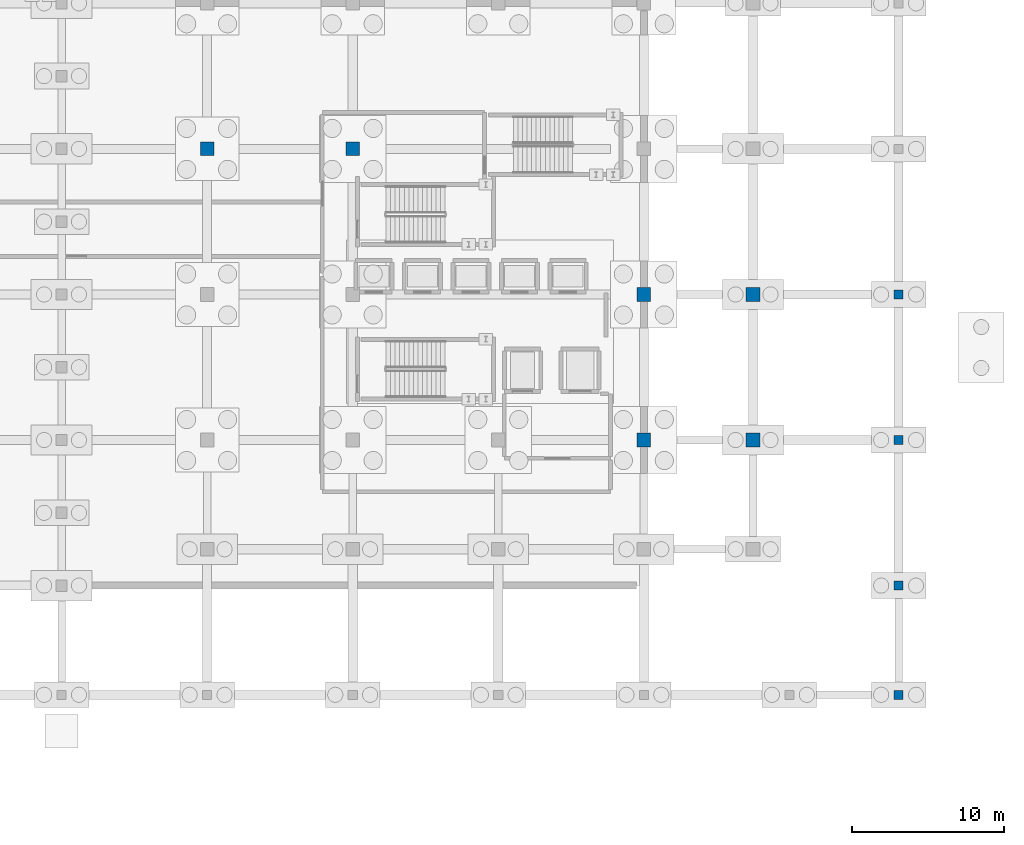
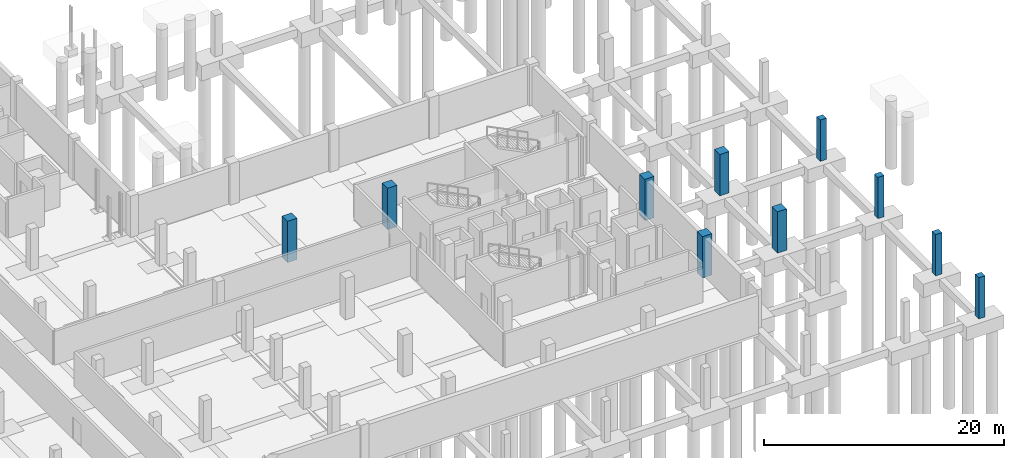
# One storey, part 30 of 54: 10 columns.
"""IFC4 building model written with IfcOpenShell, lengths in metres."""

from ifc_helpers import new_model, si_unit, direction, frame, origin, origin_2d, place, context, subcontext, project, spatial, rectangle, extrude, material, material_profile, profile_set, type_object, element, save


model = new_model("IFC4")

# Units and contexts
model_context = context("Model", 3, precision=1e-05, world=origin(), true_north=direction((0.0, 1.0)))
body_context = subcontext(model_context, "Body", "Model", "MODEL_VIEW")
ifc_project = project(units=[si_unit("LENGTHUNIT", "METRE"), si_unit("AREAUNIT", "SQUARE_METRE"), si_unit("VOLUMEUNIT", "CUBIC_METRE"), si_unit("PLANEANGLEUNIT", "RADIAN"), si_unit("MASSUNIT", "GRAM", prefix="KILO")], contexts=[model_context])

# Site, building, storey
site_placement = place(None, origin())
site = spatial("IfcSite", under=ifc_project, at=site_placement, CompositionType="ELEMENT")
building_placement = place(site_placement, origin())
building = spatial("IfcBuilding", under=site, at=building_placement, Name="Zevrakil Square Congress Hotel", CompositionType="ELEMENT")
storey_placement = place(building_placement, frame((0.0, 0.0, -8.39990234375)))
storey = spatial("IfcBuildingStorey", under=building, at=storey_placement, Name="B2", CompositionType="ELEMENT", Elevation=-8.39990234375)

# Columns
ifc_material_1 = material(Name="Concrete C40/50", Category="concrete")
ifc_material_profile_1 = material_profile(ifc_material_1, rectangle(XDim=0.60009765625, YDim=0.60009765625, at=origin_2d()), Name="RC 600x600")
ifc_profile_set_1 = profile_set([ifc_material_profile_1], Name="Concrete C40/50")
column_type_1 = type_object("IfcColumnType", Name="COL-RC600", PredefinedType="COLUMN", material=ifc_profile_set_1)
for number, where, z_axis, x_axis, name in (
    (1, (172.800048828125, 0.0, 0.0), (0.0, 0.0, 1.0), (1.0, 0.0, 0.0), "B2 column C-242"),
    (2, (172.800048828125, 7.199951171875, 0.0), (0.0, 0.0, 1.0), (1.0, 0.0, 0.0), "B2 column C-243"),
    (3, (172.800048828125, 16.800048828125, 0.0), (0.0, 0.0, 1.0), (1.0, 0.0, 0.0), "B2 column C-244"),
    (4, (172.800048828125, 26.39990234375, 0.0), (0.0, 0.0, 1.0), (1.0, 0.0, 0.0), "B2 column C-245"),
):
    element("IfcColumn", number, at=place(storey_placement, frame(where, z_axis=z_axis, x_axis=x_axis)), inside=storey, type_object=column_type_1, Name=name, PredefinedType="COLUMN", context=body_context, shape_type="SweptSolid", body=[
        extrude(rectangle(XDim=0.60009765625, YDim=0.60009765625, at=origin_2d()), origin(), (0.0, 0.0, 1.0), 4.199951171875),
    ])
ifc_material_2 = material(Name="Concrete C40/50", Category="concrete")
ifc_material_profile_2 = material_profile(ifc_material_2, rectangle(XDim=0.89990234375, YDim=0.89990234375, at=origin_2d()), Name="RC 900x900")
ifc_profile_set_2 = profile_set([ifc_material_profile_2], Name="Concrete C40/50")
column_type_2 = type_object("IfcColumnType", Name="COL-RC900", PredefinedType="COLUMN", material=ifc_profile_set_2)
for number, where, z_axis, x_axis, name in (
    (5, (127.199951171875, 36.0, 0.0), (0.0, 0.0, 1.0), (1.0, 0.0, 0.0), "B2 column C-199"),
    (6, (136.800048828125, 36.0, 0.0), (0.0, 0.0, 1.0), (1.0, 0.0, 0.0), "B2 column C-208"),
    (7, (156.0, 16.800048828125, 0.0), (0.0, 0.0, 1.0), (1.0, 0.0, 0.0), "B2 column C-222"),
    (8, (156.0, 26.39990234375, 0.0), (0.0, 0.0, 1.0), (1.0, 0.0, 0.0), "B2 column C-223"),
    (9, (163.199951171875, 16.800048828125, 0.0), (0.0, 0.0, 1.0), (1.0, 0.0, 0.0), "B2 column C-230"),
    (10, (163.199951171875, 26.39990234375, 0.0), (0.0, 0.0, 1.0), (1.0, 0.0, 0.0), "B2 column C-231"),
):
    element("IfcColumn", number, at=place(storey_placement, frame(where, z_axis=z_axis, x_axis=x_axis)), inside=storey, type_object=column_type_2, Name=name, PredefinedType="COLUMN", context=body_context, shape_type="SweptSolid", body=[
        extrude(rectangle(XDim=0.89990234375, YDim=0.89990234375, at=origin_2d()), origin(), (0.0, 0.0, 1.0), 4.199951171875),
    ])

save(model, "model.ifc")
